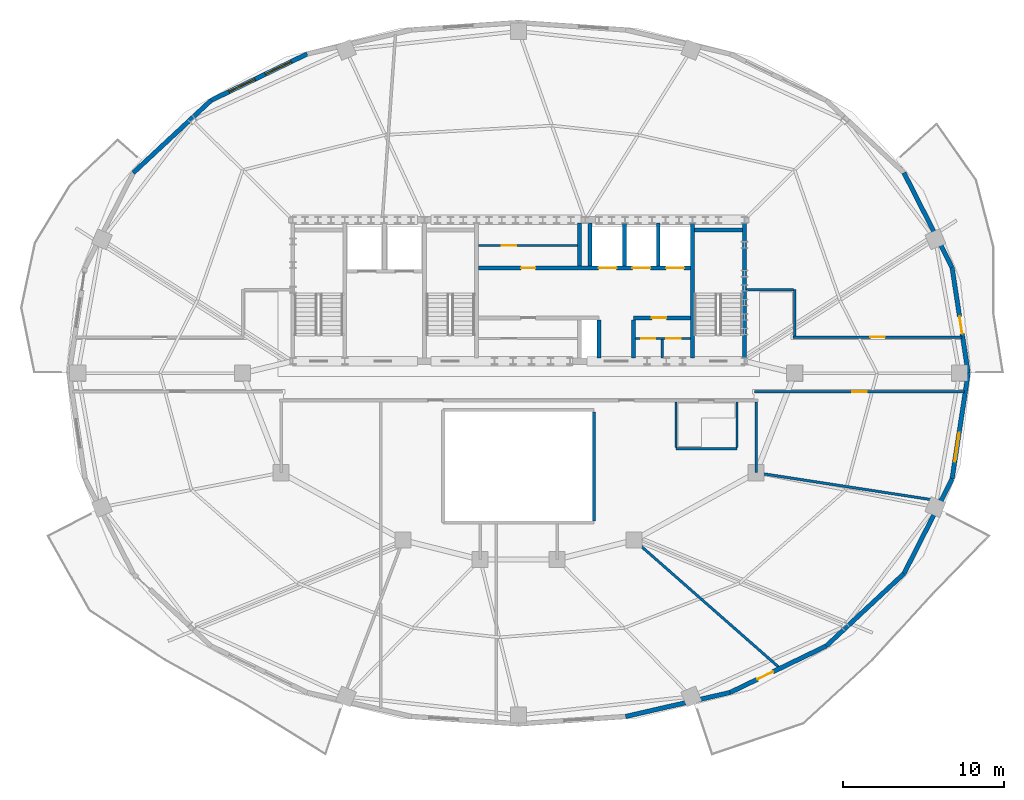
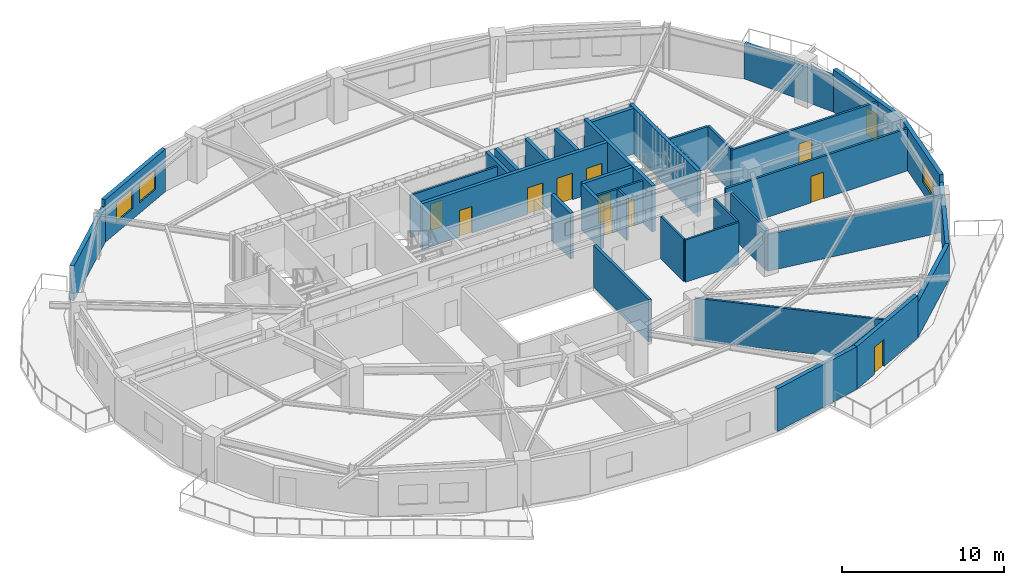
# One storey, part 5 of 11: 34 walls, 12 doors, 3 windows, 15 openings.
"""IFC4 building model written with IfcOpenShell, lengths in metres."""

import ifcopenshell
import ifcopenshell.guid

model = None  # the IFC model being written
_history = None  # IfcOwnerHistory: only IFC2X3 demands one
_inside = {}  # id of a spatial element -> (the spatial element, [elements in it])
_under = {}  # id of a project, library or spatial element -> (it, [spatial elements below it])
_declared = {}  # id of a project -> (the project, [libraries it declares])
_typed = {}  # id of a type object -> (the type object, [elements of that type])
_made_of = {}  # id of a material, layer set ... -> (it, [elements and type objects made of it])


def new_model(schema):
    """Start an empty IFC model of exactly this schema.

    Asked for "IFC4X3", IfcOpenShell would pick the latest addendum, in which some entities
    have other attributes; the version numbers below select the first issue.
    IFC2X3 requires an IfcOwnerHistory on every rooted entity: one is made here for all.
    """
    global model, _history
    if schema == "IFC4X3":
        model = ifcopenshell.file(schema_version=(4, 3, 0, 0))
    else:
        model = ifcopenshell.file(schema=schema)
    _inside.clear()
    _under.clear()
    _declared.clear()
    _typed.clear()
    _made_of.clear()
    _history = None
    if model.schema == "IFC2X3":
        org = make("IfcOrganization", Name="unknown")
        user = make(
            "IfcPersonAndOrganization",
            ThePerson=make("IfcPerson", FamilyName="unknown"),
            TheOrganization=org,
        )
        app = make(
            "IfcApplication",
            ApplicationDeveloper=org,
            Version="unknown",
            ApplicationFullName="unknown",
            ApplicationIdentifier="unknown",
        )
        _history = make(
            "IfcOwnerHistory",
            OwningUser=user,
            OwningApplication=app,
            ChangeAction="ADDED",
            CreationDate=0,
        )
    return model


def make(cls, **values):
    """One entity of the class cls with the attributes given. An attribute that is None is left unset."""
    return model.create_entity(
        cls, **{name: value for name, value in values.items() if value is not None}
    )


def rooted(cls, **values):
    """An entity with a GlobalId (a new one), such as an element, a storey or a relation."""
    return make(cls, GlobalId=ifcopenshell.guid.new(), OwnerHistory=_history, **values)


def si_unit(unit_type, name, prefix=None):
    """IfcSIUnit, for example si_unit("LENGTHUNIT", "METRE", prefix="MILLI")."""
    return make("IfcSIUnit", UnitType=unit_type, Prefix=prefix, Name=name)


def assignment(units):
    """IfcUnitAssignment: the units of a project."""
    return None if units is None else make("IfcUnitAssignment", Units=units)


def point(xyz):
    """IfcCartesianPoint."""
    return None if xyz is None else make("IfcCartesianPoint", Coordinates=xyz)


def direction(xyz):
    """IfcDirection."""
    return None if xyz is None else make("IfcDirection", DirectionRatios=xyz)


def frame(location, z_axis=None, x_axis=None):
    """IfcAxis2Placement3D, a coordinate frame: its origin and axes. An axis left out is left unset."""
    return make(
        "IfcAxis2Placement3D",
        Location=point(location),
        Axis=direction(z_axis),
        RefDirection=direction(x_axis),
    )


def frame_2d(location, x_axis=None):
    """IfcAxis2Placement2D, a coordinate frame in the plane: its origin and x axis."""
    return make(
        "IfcAxis2Placement2D", Location=point(location), RefDirection=direction(x_axis)
    )


def origin():
    """The frame at (0, 0, 0) with its axes left unset."""
    return frame((0.0, 0.0, 0.0))


def place(relative_to, where):
    """IfcLocalPlacement: puts the frame where relative to a parent placement (None: the world)."""
    return make(
        "IfcLocalPlacement", PlacementRelTo=relative_to, RelativePlacement=where
    )


def context(
    kind, dimensions, precision=None, world=None, true_north=None, identifier=None
):
    """IfcGeometricRepresentationContext, for example the 3D "Model" context."""
    return make(
        "IfcGeometricRepresentationContext",
        ContextIdentifier=identifier,
        ContextType=kind,
        CoordinateSpaceDimension=dimensions,
        Precision=precision,
        WorldCoordinateSystem=world,
        TrueNorth=true_north,
    )


def subcontext(parent, identifier, kind, view, scale=None):
    """IfcGeometricRepresentationSubContext, for example "Body" below "Model"."""
    return make(
        "IfcGeometricRepresentationSubContext",
        ContextIdentifier=identifier,
        ContextType=kind,
        ParentContext=parent,
        TargetScale=scale,
        TargetView=view,
    )


def project(units=None, contexts=None):
    """IfcProject with its units and contexts."""
    return rooted(
        "IfcProject",
        Name="project",
        RepresentationContexts=contexts,
        UnitsInContext=assignment(units),
    )


def spatial(cls, under=None, at=None, **own):
    """A site, building, storey or space (cls), placed at a placement, below another one or the project."""
    s = rooted(cls, ObjectPlacement=at, **own)
    if under is not None:
        _under.setdefault(under.id(), (under, []))[1].append(s)
    return s


def profile(cls, at=None, kind="AREA", **sizes):
    """A parametric profile (cls). Its sizes go by their IFC names, for example OverallWidth=200.0."""
    return make(cls, ProfileType=kind, Position=at, **sizes)


def rectangle(**sizes):
    """IfcRectangleProfileDef."""
    return profile("IfcRectangleProfileDef", **sizes)


def extrude(swept, where, along, depth):
    """IfcExtrudedAreaSolid: the profile swept, set in the frame where, extruded along a direction by depth."""
    return make(
        "IfcExtrudedAreaSolid",
        SweptArea=swept,
        Position=where,
        ExtrudedDirection=direction(along),
        Depth=depth,
    )


def shape(context_of_items, identifier, shape_type, items):
    """IfcShapeRepresentation: the items that make up one representation, for example the "Body"."""
    return make(
        "IfcShapeRepresentation",
        ContextOfItems=context_of_items,
        RepresentationIdentifier=identifier,
        RepresentationType=shape_type,
        Items=items,
    )


def material(Name=None, Category=None):
    """IfcMaterial."""
    return make("IfcMaterial", Name=Name, Category=Category)


def layer(
    of_material, thickness, ventilated=None, Name=None, Category=None, Priority=None
):
    """IfcMaterialLayer: one layer of a wall or slab, of a material (None: an air gap)."""
    return make(
        "IfcMaterialLayer",
        Material=of_material,
        LayerThickness=thickness,
        IsVentilated=ventilated,
        Name=Name,
        Category=Category,
        Priority=Priority,
    )


def layer_set(layers, Name=None):
    """IfcMaterialLayerSet."""
    return make("IfcMaterialLayerSet", MaterialLayers=layers, LayerSetName=Name)


def made_of(thing, what):
    """Note that an element or type object is made of a material, layer set ...; save() writes the relation."""
    if what is not None:
        _made_of.setdefault(what.id(), (what, []))[1].append(thing)
    return thing


def type_object(cls, material=None, **own):
    """A type object (cls), such as IfcWallType, which elements share."""
    return made_of(rooted(cls, **own), material)


def element(
    cls,
    number,
    at=None,
    inside=None,
    cuts=None,
    type_object=None,
    material=None,
    context=None,
    identifier="Body",
    shape_type=None,
    held_by="IfcProductDefinitionShape",
    body=None,
    shapes=None,
    **own,
):
    """One element of the class cls, such as IfcWall. Its Tag is "e" and its number.

    at: its placement. inside: the storey or other place that contains it. cuts: it is an
    opening in that element (IfcRelVoidsElement). A single representation is given by context,
    identifier, shape_type and body (its items); several are given by shapes. held_by: the class
    of the entity that holds the representations. save() writes the other relations.
    """
    e = rooted(cls, Tag="e%d" % number, ObjectPlacement=at, **own)
    if body is not None:
        shapes = [shape(context, identifier, shape_type, body)]
    if shapes is not None:
        e.Representation = make(held_by, Representations=shapes)
    if inside is not None:
        _inside.setdefault(inside.id(), (inside, []))[1].append(e)
    if cuts is not None:
        rooted(
            "IfcRelVoidsElement", RelatingBuildingElement=cuts, RelatedOpeningElement=e
        )
    if type_object is not None:
        _typed.setdefault(type_object.id(), (type_object, []))[1].append(e)
    return made_of(e, material)


def fill(opening, filler):
    """IfcRelFillsElement: the door or window that sits in an opening."""
    return rooted(
        "IfcRelFillsElement",
        RelatingOpeningElement=opening,
        RelatedBuildingElement=filler,
    )


def aggregate(whole, parts):
    """IfcRelAggregates: a whole, such as a stair, and the parts it consists of."""
    return rooted("IfcRelAggregates", RelatingObject=whole, RelatedObjects=parts)


def save(model, path):
    """Write the relations noted so far, then the file.

    IfcRelAggregates (storeys below a building ...), IfcRelContainedInSpatialStructure (elements
    in a storey), IfcRelDefinesByType, IfcRelAssociatesMaterial and IfcRelDeclares: one each for
    every whole, place, type object, material and project.
    """
    for whole, parts in _under.values():
        aggregate(whole, parts)
    for where, things in _inside.values():
        rooted(
            "IfcRelContainedInSpatialStructure",
            RelatedElements=things,
            RelatingStructure=where,
        )
    for kind, things in _typed.values():
        rooted("IfcRelDefinesByType", RelatedObjects=things, RelatingType=kind)
    for what, things in _made_of.values():
        rooted("IfcRelAssociatesMaterial", RelatedObjects=things, RelatingMaterial=what)
    for by, libraries in _declared.values():
        rooted("IfcRelDeclares", RelatingContext=by, RelatedDefinitions=libraries)
    model.write(path)


model = new_model("IFC4")

# Units and contexts
model_context = context("Model", 3, precision=1e-05, world=origin(), true_north=direction((0.0, 1.0)))
body_context = subcontext(model_context, "Body", "Model", "MODEL_VIEW")
ifc_project = project(units=[si_unit("LENGTHUNIT", "METRE"), si_unit("AREAUNIT", "SQUARE_METRE"), si_unit("VOLUMEUNIT", "CUBIC_METRE"), si_unit("PLANEANGLEUNIT", "RADIAN"), si_unit("MASSUNIT", "GRAM", prefix="KILO")], contexts=[model_context])

# Site, building, storey
site_placement = place(None, origin())
site = spatial("IfcSite", under=ifc_project, at=site_placement, CompositionType="ELEMENT")
building_placement = place(site_placement, origin())
building = spatial("IfcBuilding", under=site, at=building_placement, Name="Haldorwick Loom Tower", CompositionType="ELEMENT")
storey_placement = place(building_placement, frame((0.0, 0.0, 234.0)))
storey = spatial("IfcBuildingStorey", under=building, at=storey_placement, Name="L63", CompositionType="ELEMENT", Elevation=234.0)

# Wall, opening, door
ifc_material_1 = material(Name="Pressed Clay Face Brick and Insulated Masonry Backup Assembly", Category="masonry")
ifc_layer_1 = layer(ifc_material_1, 0.280029296875, Name="Pressed Clay Face Brick and Insulated Masonry Backup Assembly", Category="masonry")
ifc_layer_set_1 = layer_set([ifc_layer_1], Name="Pressed Clay Face Brick and Insulated Masonry Backup Assembly")
wall_type_1 = type_object("IfcWallType", Name="ARC-WL-EXT280", PredefinedType="STANDARD", material=ifc_layer_set_1)
wall_1_placement = place(storey_placement, frame((64.00634765625, 26.0, 0.0), z_axis=(0.0, 0.0, 1.0), x_axis=(-0.150467697578, 0.988614926038, 0.0)))
wall_1 = element("IfcWall", 1, at=wall_1_placement, inside=storey, type_object=wall_type_1, Name="L63 Brick Pier and Spandrel Wall 1", PredefinedType="STANDARD", context=body_context, shape_type="SweptSolid", body=[
    extrude(rectangle(XDim=6.66064453125, YDim=0.280029296875, at=frame_2d((3.330322265625, 0.0))), origin(), (0.0, 0.0, 1.0), 3.2099609375),
])
opening_1_placement = place(wall_1_placement, frame((2.491455078125, 0.0, 0.0)))
opening_1 = element("IfcOpeningElement", 2, at=opening_1_placement, cuts=wall_1, Name="Opening D-BL11", PredefinedType="OPENING", context=body_context, shape_type="SweptSolid", body=[
    extrude(rectangle(XDim=1.080078125, YDim=2.0400390625, at=frame_2d((0.5400390625, 1.02001953125))), frame((0.0, 0.14990234375, 0.0), z_axis=(0.0, -1.0, 0.0), x_axis=(1.0, 0.0, 0.0)), (0.0, 0.0, 1.0), 0.300048828125),
])
ifc_material_2 = material(Name="Thermally Broken Anodized Aluminium Curtain Wall Framing", Category="aluminium")
door_type_1 = type_object("IfcDoorType", Name="ARC-DR-BAL110", OperationType="NOTDEFINED", PredefinedType="DOOR", material=ifc_material_2)
door_1_placement = place(opening_1_placement, origin())
door_1 = element("IfcDoor", 3, at=door_1_placement, inside=storey, type_object=door_type_1, Name="L63 Outdoor Terrace Door SLB-L63-BAL_ENE", OperationType="SINGLE_SWING_RIGHT", OverallHeight=2.0400390625, OverallWidth=1.080078125, PredefinedType="DOOR", context=body_context, shape_type="SweptSolid", body=[
    extrude(rectangle(XDim=1.080078125, YDim=2.0400390625, at=frame_2d((0.5400390625, 1.02001953125))), frame((0.0, 0.02490234375, 0.0), z_axis=(0.0, -1.0, 0.0), x_axis=(1.0, 0.0, 0.0)), (0.0, 0.0, 1.0), 0.050048828125),
])
fill(opening_1, door_1)

# Wall
wall_2_placement = place(storey_placement, frame((63.004150390625, 32.584716796875, 0.0), z_axis=(0.0, 0.0, 1.0), x_axis=(-0.453032066879, 0.89149422117, 0.0)))
element("IfcWall", 4, at=wall_2_placement, inside=storey, type_object=wall_type_1, Name="L63 Brick Pier and Spandrel Wall 2", PredefinedType="STANDARD", context=body_context, shape_type="SweptSolid", body=[
    extrude(rectangle(XDim=6.618896484375, YDim=0.280029296875, at=frame_2d((3.3095703125, 0.0))), origin(), (0.0, 0.0, 1.0), 2.64111328125),
])

# Wall, openings, windows
wall_3_placement = place(storey_placement, frame((22.82861328125, 45.890869140625, 0.0), z_axis=(0.0, 0.0, 1.0), x_axis=(-0.900371236029, -0.435122554381, 0.0)))
wall_3 = element("IfcWall", 5, at=wall_3_placement, inside=storey, type_object=wall_type_1, Name="L63 Brick Pier and Spandrel Wall 9", PredefinedType="STANDARD", context=body_context, shape_type="SweptSolid", body=[
    extrude(rectangle(XDim=6.6533203125, YDim=0.280029296875, at=frame_2d((3.32666015625, 0.0))), origin(), (0.0, 0.0, 1.0), 3.2099609375),
])
opening_2_placement = place(wall_3_placement, frame((1.095947265625, 0.0, 0.800048828125)))
opening_2 = element("IfcOpeningElement", 6, at=opening_2_placement, cuts=wall_3, Name="Opening W-01", PredefinedType="OPENING", context=body_context, shape_type="SweptSolid", body=[
    extrude(rectangle(XDim=1.800048828125, YDim=1.47998046875, at=frame_2d((0.89990234375, 0.739990234375))), frame((0.0, 0.14990234375, 0.0), z_axis=(0.0, -1.0, 0.0), x_axis=(1.0, 0.0, 0.0)), (0.0, 0.0, 1.0), 0.300048828125),
])
opening_3_placement = place(wall_3_placement, frame((3.618896484375, 0.0, 0.800048828125)))
opening_3 = element("IfcOpeningElement", 7, at=opening_3_placement, cuts=wall_3, Name="Opening W-01", PredefinedType="OPENING", context=body_context, shape_type="SweptSolid", body=[
    extrude(rectangle(XDim=1.800048828125, YDim=1.47998046875, at=frame_2d((0.89990234375, 0.739990234375))), frame((0.0, 0.14990234375, 0.0), z_axis=(0.0, -1.0, 0.0), x_axis=(1.0, 0.0, 0.0)), (0.0, 0.0, 1.0), 0.300048828125),
])
ifc_material_3 = material(Name="Triple-Glazed Low-E Argon Insulated Glazing Unit", Category="glass")
window_type = type_object("IfcWindowType", Name="ARC-WIN-W180", PartitioningType="SINGLE_PANEL", PredefinedType="WINDOW", material=ifc_material_3)
window_1_placement = place(opening_2_placement, origin())
window_1 = element("IfcWindow", 8, at=window_1_placement, inside=storey, type_object=window_type, Name="L63 Deep-Set Zone 7A Window 9", OverallHeight=1.47998046875, OverallWidth=1.800048828125, PartitioningType="SINGLE_PANEL", PredefinedType="WINDOW", context=body_context, shape_type="SweptSolid", body=[
    extrude(rectangle(XDim=1.800048828125, YDim=1.47998046875, at=frame_2d((0.89990234375, 0.739990234375))), frame((0.0, 0.030029296875, 0.0), z_axis=(0.0, -1.0, 0.0), x_axis=(1.0, 0.0, 0.0)), (0.0, 0.0, 1.0), 0.06005859375),
])
fill(opening_2, window_1)
window_2_placement = place(opening_3_placement, origin())
window_2 = element("IfcWindow", 9, at=window_2_placement, inside=storey, type_object=window_type, Name="L63 Deep-Set Zone 7A Window 9", OverallHeight=1.47998046875, OverallWidth=1.800048828125, PartitioningType="SINGLE_PANEL", PredefinedType="WINDOW", context=body_context, shape_type="SweptSolid", body=[
    extrude(rectangle(XDim=1.800048828125, YDim=1.47998046875, at=frame_2d((0.89990234375, 0.739990234375))), frame((0.0, 0.030029296875, 0.0), z_axis=(0.0, -1.0, 0.0), x_axis=(1.0, 0.0, 0.0)), (0.0, 0.0, 1.0), 0.06005859375),
])
fill(opening_3, window_2)

# Walls
wall_4_placement = place(storey_placement, frame((16.838134765625, 42.995849609375, 0.0), z_axis=(0.0, 0.0, 1.0), x_axis=(-0.731833707499, -0.681483253329, 0.0)))
element("IfcWall", 10, at=wall_4_placement, inside=storey, type_object=wall_type_1, Name="L63 Brick Pier and Spandrel Wall 10", PredefinedType="STANDARD", context=body_context, shape_type="SweptSolid", body=[
    extrude(rectangle(XDim=6.61865234375, YDim=0.280029296875, at=frame_2d((3.309326171875, 0.0))), origin(), (0.0, 0.0, 1.0), 2.64111328125),
])
wall_5_placement = place(storey_placement, frame((42.665283203125, 4.61279296875, 0.0), z_axis=(0.0, 0.0, 1.0), x_axis=(0.974557343474, 0.224138315065, 0.0)))
element("IfcWall", 11, at=wall_5_placement, inside=storey, type_object=wall_type_1, Name="L63 Brick Pier and Spandrel Wall 20", PredefinedType="STANDARD", context=body_context, shape_type="SweptSolid", body=[
    extrude(rectangle(XDim=6.676025390625, YDim=0.280029296875, at=frame_2d((3.337890625, 0.0))), origin(), (0.0, 0.0, 1.0), 3.2099609375),
])

# Wall, opening, door
wall_6_placement = place(storey_placement, frame((49.17138671875, 6.109130859375, 0.0), z_axis=(0.0, 0.0, 1.0), x_axis=(0.900371236029, 0.435122554381, 0.0)))
wall_6 = element("IfcWall", 12, at=wall_6_placement, inside=storey, type_object=wall_type_1, Name="L63 Brick Pier and Spandrel Wall 21", PredefinedType="STANDARD", context=body_context, shape_type="SweptSolid", body=[
    extrude(rectangle(XDim=6.6533203125, YDim=0.280029296875, at=frame_2d((3.32666015625, 0.0))), origin(), (0.0, 0.0, 1.0), 3.2099609375),
])
opening_4_placement = place(wall_6_placement, frame((1.8916015625, 0.0, 0.0)))
opening_4 = element("IfcOpeningElement", 13, at=opening_4_placement, cuts=wall_6, Name="Opening D-BL11", PredefinedType="OPENING", context=body_context, shape_type="SweptSolid", body=[
    extrude(rectangle(XDim=1.080078125, YDim=2.0400390625, at=frame_2d((0.5400390625, 1.02001953125))), frame((0.0, 0.14990234375, 0.0), z_axis=(0.0, -1.0, 0.0), x_axis=(1.0, 0.0, 0.0)), (0.0, 0.0, 1.0), 0.300048828125),
])
door_2_placement = place(opening_4_placement, origin())
door_2 = element("IfcDoor", 14, at=door_2_placement, inside=storey, type_object=door_type_1, Name="L63 Outdoor Terrace Door SLB-L63-BAL_SE", OperationType="SINGLE_SWING_RIGHT", OverallHeight=2.0400390625, OverallWidth=1.080078125, PredefinedType="DOOR", context=body_context, shape_type="SweptSolid", body=[
    extrude(rectangle(XDim=1.080078125, YDim=2.0400390625, at=frame_2d((0.5400390625, 1.02001953125))), frame((0.0, 0.02490234375, 0.0), z_axis=(0.0, -1.0, 0.0), x_axis=(1.0, 0.0, 0.0)), (0.0, 0.0, 1.0), 0.050048828125),
])
fill(opening_4, door_2)

# Walls
wall_7_placement = place(storey_placement, frame((55.161865234375, 9.004150390625, 0.0), z_axis=(0.0, 0.0, 1.0), x_axis=(0.731833707499, 0.681483253329, 0.0)))
element("IfcWall", 15, at=wall_7_placement, inside=storey, type_object=wall_type_1, Name="L63 Brick Pier and Spandrel Wall 22", PredefinedType="STANDARD", context=body_context, shape_type="SweptSolid", body=[
    extrude(rectangle(XDim=6.61865234375, YDim=0.280029296875, at=frame_2d((3.309326171875, 0.0))), origin(), (0.0, 0.0, 1.0), 2.64111328125),
])
wall_8_placement = place(storey_placement, frame((60.005615234375, 13.5146484375, 0.0), z_axis=(0.0, 0.0, 1.0), x_axis=(0.453032066879, 0.89149422117, 0.0)))
element("IfcWall", 16, at=wall_8_placement, inside=storey, type_object=wall_type_1, Name="L63 Brick Pier and Spandrel Wall 23", PredefinedType="STANDARD", context=body_context, shape_type="SweptSolid", body=[
    extrude(rectangle(XDim=6.618896484375, YDim=0.280029296875, at=frame_2d((3.3095703125, 0.0))), origin(), (0.0, 0.0, 1.0), 2.64111328125),
])

# Wall, opening, window
wall_9_placement = place(storey_placement, frame((63.004150390625, 19.415283203125, 0.0), z_axis=(0.0, 0.0, 1.0), x_axis=(0.150467697578, 0.988614926038, 0.0)))
wall_9 = element("IfcWall", 17, at=wall_9_placement, inside=storey, type_object=wall_type_1, Name="L63 Brick Pier and Spandrel Wall 24", PredefinedType="STANDARD", context=body_context, shape_type="SweptSolid", body=[
    extrude(rectangle(XDim=6.66064453125, YDim=0.280029296875, at=frame_2d((3.330322265625, 0.0))), origin(), (0.0, 0.0, 1.0), 3.2099609375),
])
opening_5_placement = place(wall_9_placement, frame((1.09814453125, 0.0, 0.800048828125)))
opening_5 = element("IfcOpeningElement", 18, at=opening_5_placement, cuts=wall_9, Name="Opening W-01", PredefinedType="OPENING", context=body_context, shape_type="SweptSolid", body=[
    extrude(rectangle(XDim=1.800048828125, YDim=1.47998046875, at=frame_2d((0.89990234375, 0.739990234375))), frame((0.0, 0.14990234375, 0.0), z_axis=(0.0, -1.0, 0.0), x_axis=(1.0, 0.0, 0.0)), (0.0, 0.0, 1.0), 0.300048828125),
])
window_3_placement = place(opening_5_placement, origin())
window_3 = element("IfcWindow", 19, at=window_3_placement, inside=storey, type_object=window_type, Name="L63 Deep-Set Zone 7A Window 24", OverallHeight=1.47998046875, OverallWidth=1.800048828125, PartitioningType="SINGLE_PANEL", PredefinedType="WINDOW", context=body_context, shape_type="SweptSolid", body=[
    extrude(rectangle(XDim=1.800048828125, YDim=1.47998046875, at=frame_2d((0.89990234375, 0.739990234375))), frame((0.0, 0.030029296875, 0.0), z_axis=(0.0, -1.0, 0.0), x_axis=(1.0, 0.0, 0.0)), (0.0, 0.0, 1.0), 0.06005859375),
])
fill(opening_5, window_3)

# Wall, opening, door
ifc_material_4 = material(Name="Fire-Rated Type X Gypsum Stud Assembly EI 60")
ifc_layer_2 = layer(ifc_material_4, 0.159912109375, Name="Fire-Rated Type X Gypsum Stud Assembly EI 60")
ifc_layer_set_2 = layer_set([ifc_layer_2], Name="Fire-Rated Type X Gypsum Stud Assembly EI 60")
wall_type_2 = type_object("IfcWallType", Name="ARC-WL-FIRE160", PredefinedType="PARTITIONING", material=ifc_layer_set_2)
wall_10_placement = place(storey_placement, frame((50.699951171875, 24.85009765625, 0.0), z_axis=(0.0, 0.0, 1.0), x_axis=(1.0, 0.0, 0.0)))
wall_10 = element("IfcWall", 20, at=wall_10_placement, inside=storey, type_object=wall_type_2, Name="L63 Residential Fire Partition L63-CR-SPE", PredefinedType="PARTITIONING", context=body_context, shape_type="SweptSolid", body=[
    extrude(rectangle(XDim=13.0859375, YDim=0.159912109375, at=frame_2d((6.54296875, 0.0))), origin(), (0.0, 0.0, 1.0), 3.195068359375),
])
opening_6_placement = place(wall_10_placement, frame((6.093017578125, 0.0, 0.0)))
opening_6 = element("IfcOpeningElement", 21, at=opening_6_placement, cuts=wall_10, Name="Opening D-FD60A", PredefinedType="OPENING", context=body_context, shape_type="SweptSolid", body=[
    extrude(rectangle(XDim=0.89990234375, YDim=2.0, at=frame_2d((0.449951171875, 1.0))), frame((0.0, 0.08984375, 0.0), z_axis=(0.0, -1.0, 0.0), x_axis=(1.0, 0.0, 0.0)), (0.0, 0.0, 1.0), 0.179931640625),
])
ifc_material_5 = material(Name="Hollow Steel Fire Door Assembly", Category="steel")
door_type_2 = type_object("IfcDoorType", Name="ARC-DR-FD60-90", OperationType="NOTDEFINED", PredefinedType="DOOR", material=ifc_material_5)
door_3_placement = place(opening_6_placement, origin())
door_3 = element("IfcDoor", 22, at=door_3_placement, inside=storey, type_object=door_type_2, Name="L63 L63 Central Residential Corridor to Resident Study Room 1 Door", OperationType="SINGLE_SWING_RIGHT", OverallHeight=2.0, OverallWidth=0.89990234375, PredefinedType="DOOR", context=body_context, shape_type="SweptSolid", body=[
    extrude(rectangle(XDim=0.89990234375, YDim=2.0, at=frame_2d((0.449951171875, 1.0))), frame((0.0, 0.02490234375, 0.0), z_axis=(0.0, -1.0, 0.0), x_axis=(1.0, 0.0, 0.0)), (0.0, 0.0, 1.0), 0.050048828125),
])
fill(opening_6, door_3)

wall_11_placement = place(storey_placement, frame((53.10009765625, 28.25, 0.0), z_axis=(0.0, 0.0, 1.0), x_axis=(1.0, 0.0, 0.0)))
wall_11 = element("IfcWall", 23, at=wall_11_placement, inside=storey, type_object=wall_type_2, Name="L63 Residential Fire Partition L63-CR-NEL", PredefinedType="PARTITIONING", context=body_context, shape_type="SweptSolid", body=[
    extrude(rectangle(XDim=10.518310546875, YDim=0.159912109375, at=frame_2d((5.25927734375, 0.0))), origin(), (0.0, 0.0, 1.0), 3.195068359375),
])
opening_7_placement = place(wall_11_placement, frame((4.80908203125, 0.0, 0.0)))
opening_7 = element("IfcOpeningElement", 24, at=opening_7_placement, cuts=wall_11, Name="Opening D-FD60A", PredefinedType="OPENING", context=body_context, shape_type="SweptSolid", body=[
    extrude(rectangle(XDim=0.89990234375, YDim=2.0, at=frame_2d((0.449951171875, 1.0))), frame((0.0, 0.08984375, 0.0), z_axis=(0.0, -1.0, 0.0), x_axis=(1.0, 0.0, 0.0)), (0.0, 0.0, 1.0), 0.179931640625),
])
door_4_placement = place(opening_7_placement, frame((0.89990234375, 0.0, 0.0), z_axis=(0.0, 0.0, 1.0), x_axis=(-1.0, 0.0, 0.0)))
door_4 = element("IfcDoor", 25, at=door_4_placement, inside=storey, type_object=door_type_2, Name="L63 Community Library Hall 6 to L63 Central Residential Corridor Door", OperationType="SINGLE_SWING_LEFT", OverallHeight=2.0, OverallWidth=0.89990234375, PredefinedType="DOOR", context=body_context, shape_type="SweptSolid", body=[
    extrude(rectangle(XDim=0.89990234375, YDim=2.0, at=frame_2d((0.449951171875, 1.0))), frame((0.0, 0.02490234375, 0.0), z_axis=(0.0, -1.0, 0.0), x_axis=(1.0, 0.0, 0.0)), (0.0, 0.0, 1.0), 0.050048828125),
])
fill(opening_7, door_4)

# Walls
wall_12_placement = place(storey_placement, frame((53.199951171875, 28.3330078125, 0.0), z_axis=(0.0, 0.0, 1.0), x_axis=(0.0, 1.0, 0.0)))
element("IfcWall", 26, at=wall_12_placement, inside=storey, type_object=wall_type_2, Name="L63 Residential Fire Partition L63-CR-E0", PredefinedType="PARTITIONING", context=body_context, shape_type="SweptSolid", body=[
    extrude(rectangle(XDim=2.866943359375, YDim=0.159912109375, at=frame_2d((1.43359375, 0.0))), origin(), (0.0, 0.0, 1.0), 3.195068359375),
])
wall_13_placement = place(storey_placement, frame((50.193115234375, 31.199951171875, 0.0), z_axis=(0.0, 0.0, 1.0), x_axis=(1.0, 0.0, 0.0)))
element("IfcWall", 27, at=wall_13_placement, inside=storey, type_object=wall_type_2, Name="L63 Residential Fire Partition L63-CR-ENJ", PredefinedType="PARTITIONING", context=body_context, shape_type="SweptSolid", body=[
    extrude(rectangle(XDim=2.923828125, YDim=0.159912109375, at=frame_2d((1.4619140625, 0.0))), origin(), (0.0, 0.0, 1.0), 3.195068359375),
])
wall_14_placement = place(storey_placement, frame((50.800048828125, 19.800048828125, 0.0), z_axis=(0.0, 0.0, 1.0), x_axis=(0.988414763084, -0.151776994694, 0.0)))
element("IfcWall", 28, at=wall_14_placement, inside=storey, type_object=wall_type_2, Name="L63 Residential Fire Partition L63-ICR-02", PredefinedType="PARTITIONING", context=body_context, shape_type="SweptSolid", body=[
    extrude(rectangle(XDim=11.589599609375, YDim=0.159912109375, at=frame_2d((5.794921875, 0.0))), origin(), (0.0, 0.0, 1.0), 2.77197265625),
])
wall_15_placement = place(storey_placement, frame((43.199951171875, 15.60009765625, 0.0), z_axis=(0.0, 0.0, 1.0), x_axis=(0.751199302963, -0.660075455708, 0.0)))
element("IfcWall", 29, at=wall_15_placement, inside=storey, type_object=wall_type_2, Name="L63 Residential Fire Partition L63-ICR-04", PredefinedType="PARTITIONING", context=body_context, shape_type="SweptSolid", body=[
    extrude(rectangle(XDim=12.04833984375, YDim=0.159912109375, at=frame_2d((6.024169921875, 0.0))), origin(), (0.0, 0.0, 1.0), 3.195068359375),
])
wall_16_placement = place(storey_placement, frame((50.800048828125, 24.217041015625, 0.0), z_axis=(0.0, 0.0, 1.0), x_axis=(0.0, -1.0, 0.0)))
element("IfcWall", 30, at=wall_16_placement, inside=storey, type_object=wall_type_2, Name="L63 Residential Fire Partition L63-ICA-01", PredefinedType="PARTITIONING", context=body_context, shape_type="SweptSolid", body=[
    extrude(rectangle(XDim=4.4169921875, YDim=0.159912109375, at=frame_2d((2.20849609375, 0.0))), origin(), (0.0, 0.0, 1.0), 3.195068359375),
])
ifc_material_6 = material(Name="Fire-Rated Type X Gypsum Stud Assembly EI 120")
ifc_layer_3 = layer(ifc_material_6, 0.199951171875, Name="Fire-Rated Type X Gypsum Stud Assembly EI 120")
ifc_layer_set_3 = layer_set([ifc_layer_3], Name="Fire-Rated Type X Gypsum Stud Assembly EI 120")
wall_type_3 = type_object("IfcWallType", Name="ARC-WL-FIRE200", PredefinedType="PARTITIONING", material=ifc_layer_set_3)
wall_17_placement = place(storey_placement, frame((40.699951171875, 23.596923828125, 0.0), z_axis=(0.0, 0.0, 1.0), x_axis=(0.0, -1.0, 0.0)))
element("IfcWall", 31, at=wall_17_placement, inside=storey, type_object=wall_type_3, Name="L63 Atrium Fire Enclosure Wall E", PredefinedType="PARTITIONING", context=body_context, shape_type="SweptSolid", body=[
    extrude(rectangle(XDim=6.7939453125, YDim=0.199951171875, at=frame_2d((3.39697265625, 0.0))), origin(), (0.0, 0.0, 1.0), 3.195068359375),
])

# Wall, opening, door
ifc_layer_4 = layer(ifc_material_4, 0.139892578125, Name="Fire-Rated Type X Gypsum Stud Assembly EI 60")
ifc_layer_set_4 = layer_set([ifc_layer_4], Name="Fire-Rated Type X Gypsum Stud Assembly EI 60")
wall_type_4 = type_object("IfcWallType", Name="ARC-WL-PART140", PredefinedType="PARTITIONING", material=ifc_layer_set_4)
wall_18_placement = place(storey_placement, frame((33.492919921875, 33.9599609375, 0.0), z_axis=(0.0, 0.0, 1.0), x_axis=(1.0, 0.0, 0.0)))
wall_18 = element("IfcWall", 32, at=wall_18_placement, inside=storey, type_object=wall_type_4, Name="L63 Alcove Partition", PredefinedType="PARTITIONING", context=body_context, shape_type="SweptSolid", body=[
    extrude(rectangle(XDim=6.18408203125, YDim=0.139892578125, at=frame_2d((3.092041015625, 0.0))), origin(), (0.0, 0.0, 1.0), 3.195068359375),
])
opening_8_placement = place(wall_18_placement, frame((1.45703125, 0.0, 0.0)))
opening_8 = element("IfcOpeningElement", 33, at=opening_8_placement, cuts=wall_18, Name="Opening D-FD60A", PredefinedType="OPENING", context=body_context, shape_type="SweptSolid", body=[
    extrude(rectangle(XDim=0.89990234375, YDim=2.0, at=frame_2d((0.449951171875, 1.0))), frame((0.0, 0.079833984375, 0.0), z_axis=(0.0, -1.0, 0.0), x_axis=(1.0, 0.0, 0.0)), (0.0, 0.0, 1.0), 0.159912109375),
])
door_5_placement = place(opening_8_placement, frame((0.89990234375, 0.0, 0.0), z_axis=(0.0, 0.0, 1.0), x_axis=(-1.0, 0.0, 0.0)))
door_5 = element("IfcDoor", 34, at=door_5_placement, inside=storey, type_object=door_type_2, Name="L63 Trunk Store Door", OperationType="SINGLE_SWING_LEFT", OverallHeight=2.0, OverallWidth=0.89990234375, PredefinedType="DOOR", context=body_context, shape_type="SweptSolid", body=[
    extrude(rectangle(XDim=0.89990234375, YDim=2.0, at=frame_2d((0.449951171875, 1.0))), frame((0.0, 0.02490234375, 0.0), z_axis=(0.0, -1.0, 0.0), x_axis=(1.0, 0.0, 0.0)), (0.0, 0.0, 1.0), 0.050048828125),
])
fill(opening_8, door_5)

# Wall, openings, doors
wall_19_placement = place(storey_placement, frame((43.27294921875, 28.159912109375, 0.0), z_axis=(0.0, 0.0, 1.0), x_axis=(1.0, 0.0, 0.0)))
wall_19 = element("IfcWall", 35, at=wall_19_placement, inside=storey, type_object=wall_type_4, Name="L63 Telecom Partition", PredefinedType="PARTITIONING", context=body_context, shape_type="SweptSolid", body=[
    extrude(rectangle(XDim=3.43408203125, YDim=0.139892578125, at=frame_2d((1.717041015625, 0.0))), origin(), (0.0, 0.0, 1.0), 3.195068359375),
])
opening_9_placement = place(wall_19_placement, frame((0.366943359375, 0.0, 0.0)))
opening_9 = element("IfcOpeningElement", 36, at=opening_9_placement, cuts=wall_19, Name="Opening D-BT88", PredefinedType="OPENING", context=body_context, shape_type="SweptSolid", body=[
    extrude(rectangle(XDim=0.8798828125, YDim=2.02001953125, at=frame_2d((0.43994140625, 1.010009765625))), frame((0.0, 0.079833984375, 0.0), z_axis=(0.0, -1.0, 0.0), x_axis=(1.0, 0.0, 0.0)), (0.0, 0.0, 1.0), 0.159912109375),
])
opening_10_placement = place(wall_19_placement, frame((1.93701171875, 0.0, 0.0)))
opening_10 = element("IfcOpeningElement", 37, at=opening_10_placement, cuts=wall_19, Name="Opening D-BT88", PredefinedType="OPENING", context=body_context, shape_type="SweptSolid", body=[
    extrude(rectangle(XDim=0.8798828125, YDim=2.02001953125, at=frame_2d((0.43994140625, 1.010009765625))), frame((0.0, 0.079833984375, 0.0), z_axis=(0.0, -1.0, 0.0), x_axis=(1.0, 0.0, 0.0)), (0.0, 0.0, 1.0), 0.159912109375),
])
ifc_material_7 = material(Name="Solid Core Birch Architectural Door")
door_type_3 = type_object("IfcDoorType", Name="ARC-DR-BATH88", OperationType="NOTDEFINED", PredefinedType="DOOR", material=ifc_material_7)
door_6_placement = place(opening_9_placement, origin())
door_6 = element("IfcDoor", 38, at=door_6_placement, inside=storey, type_object=door_type_3, Name="L63 Telecom Room Door", OperationType="SINGLE_SWING_LEFT", OverallHeight=2.02001953125, OverallWidth=0.8798828125, PredefinedType="DOOR", context=body_context, shape_type="SweptSolid", body=[
    extrude(rectangle(XDim=0.8798828125, YDim=2.02001953125, at=frame_2d((0.43994140625, 1.010009765625))), frame((0.0, 0.02490234375, 0.0), z_axis=(0.0, -1.0, 0.0), x_axis=(1.0, 0.0, 0.0)), (0.0, 0.0, 1.0), 0.050048828125),
])
fill(opening_9, door_6)
door_7_placement = place(opening_10_placement, origin())
door_7 = element("IfcDoor", 39, at=door_7_placement, inside=storey, type_object=door_type_3, Name="L63 Metering Closet Door", OperationType="SINGLE_SWING_RIGHT", OverallHeight=2.02001953125, OverallWidth=0.8798828125, PredefinedType="DOOR", context=body_context, shape_type="SweptSolid", body=[
    extrude(rectangle(XDim=0.8798828125, YDim=2.02001953125, at=frame_2d((0.43994140625, 1.010009765625))), frame((0.0, 0.02490234375, 0.0), z_axis=(0.0, -1.0, 0.0), x_axis=(1.0, 0.0, 0.0)), (0.0, 0.0, 1.0), 0.050048828125),
])
fill(opening_10, door_7)

# Walls
wall_20_placement = place(storey_placement, frame((44.949951171875, 26.952880859375, 0.0), z_axis=(0.0, 0.0, 1.0), x_axis=(0.0, 1.0, 0.0)))
element("IfcWall", 40, at=wall_20_placement, inside=storey, type_object=wall_type_4, Name="L63 Metering Sub-Partition", PredefinedType="PARTITIONING", context=body_context, shape_type="SweptSolid", body=[
    extrude(rectangle(XDim=1.134033203125, YDim=0.139892578125, at=frame_2d((0.56689453125, 0.0))), origin(), (0.0, 0.0, 1.0), 3.195068359375),
])
wall_21_placement = place(storey_placement, frame((45.800048828125, 21.300048828125, 0.0), z_axis=(0.0, 0.0, 1.0), x_axis=(1.0, 0.0, 0.0)))
element("IfcWall", 41, at=wall_21_placement, inside=storey, type_object=wall_type_4, Name="L63 Residential Fire Partition L63-CWC-S", PredefinedType="PARTITIONING", context=body_context, shape_type="SweptSolid", body=[
    extrude(rectangle(XDim=3.800048828125, YDim=0.139892578125, at=frame_2d((1.89990234375, 0.0))), origin(), (0.0, 0.0, 1.0), 3.195068359375),
])
for number, where, z_axis, x_axis, name in (
    (42, (45.800048828125, 21.373046875, 0.0), (0.0, 0.0, 1.0), (0.0, 1.0, 0.0), "L63 Residential Fire Partition L63-CWC-W"),
    (43, (49.60009765625, 21.373046875, 0.0), (0.0, 0.0, 1.0), (0.0, 1.0, 0.0), "L63 Residential Fire Partition L63-CWC-E"),
):
    element("IfcWall", number, at=place(storey_placement, frame(where, z_axis=z_axis, x_axis=x_axis)), inside=storey, type_object=wall_type_4, Name=name, PredefinedType="PARTITIONING", context=body_context, shape_type="SweptSolid", body=[
        extrude(rectangle(XDim=2.843994140625, YDim=0.139892578125, at=frame_2d((1.421875, 0.0))), origin(), (0.0, 0.0, 1.0), 3.195068359375),
    ])
ifc_material_8 = material(Name="Concrete C50 (50 MPa)", Category="concrete")
ifc_layer_5 = layer(ifc_material_8, 0.239990234375, Name="Concrete C50 (50 MPa)", Category="concrete")
ifc_layer_set_5 = layer_set([ifc_layer_5], Name="Concrete C50 (50 MPa)")
wall_type_5 = type_object("IfcWallType", Name="STR-WL-SHAFT240", PredefinedType="SHEAR", material=ifc_layer_set_5)
for number, where, z_axis, x_axis, name in (
    (44, (50.070068359375, 26.952880859375, 0.0), (0.0, 0.0, 1.0), (0.0, 1.0, 0.0), "L63 Core Shear Wall E"),
    (45, (46.830078125, 26.952880859375, 0.0), (0.0, 0.0, 1.0), (0.0, 1.0, 0.0), "L63 Core Shear Wall 4"),
):
    element("IfcWall", number, at=place(storey_placement, frame(where, z_axis=z_axis, x_axis=x_axis)), inside=storey, type_object=wall_type_5, Name=name, PredefinedType="SHEAR", context=body_context, shape_type="SweptSolid", body=[
        extrude(rectangle(XDim=8.39404296875, YDim=0.239990234375, at=frame_2d((4.197021484375, 0.0))), origin(), (0.0, 0.0, 1.0), 3.449951171875),
    ])
wall_22_placement = place(storey_placement, frame((46.952880859375, 34.919921875, 0.0), z_axis=(0.0, 0.0, 1.0), x_axis=(1.0, 0.0, 0.0)))
element("IfcWall", 46, at=wall_22_placement, inside=storey, type_object=wall_type_5, Name="L63 Core Shear Wall 4N", PredefinedType="SHEAR", context=body_context, shape_type="SweptSolid", body=[
    extrude(rectangle(XDim=2.994140625, YDim=0.239990234375, at=frame_2d((1.4970703125, 0.0))), origin(), (0.0, 0.0, 1.0), 3.449951171875),
])

# Wall, openings, doors
wall_23_placement = place(storey_placement, frame((33.492919921875, 32.550048828125, 0.0), z_axis=(0.0, 0.0, 1.0), x_axis=(1.0, 0.0, 0.0)))
wall_23 = element("IfcWall", 47, at=wall_23_placement, inside=storey, type_object=wall_type_5, Name="L63 Core Shear Wall LN", PredefinedType="SHEAR", context=body_context, shape_type="SweptSolid", body=[
    extrude(rectangle(XDim=13.214111328125, YDim=0.239990234375, at=frame_2d((6.60693359375, 0.0))), origin(), (0.0, 0.0, 1.0), 3.449951171875),
])
opening_11_placement = place(wall_23_placement, frame((2.656982421875, 0.0, 0.0)))
opening_11 = element("IfcOpeningElement", 48, at=opening_11_placement, cuts=wall_23, Name="Opening D-FD60A", PredefinedType="OPENING", context=body_context, shape_type="SweptSolid", body=[
    extrude(rectangle(XDim=0.89990234375, YDim=2.0, at=frame_2d((0.449951171875, 1.0))), frame((0.0, 0.1298828125, 0.0), z_axis=(0.0, -1.0, 0.0), x_axis=(1.0, 0.0, 0.0)), (0.0, 0.0, 1.0), 0.260009765625),
])
opening_12_placement = place(wall_23_placement, frame((7.4970703125, 0.0, 0.0)))
opening_12 = element("IfcOpeningElement", 49, at=opening_12_placement, cuts=wall_23, Name="Opening LD-H1", PredefinedType="OPENING", context=body_context, shape_type="SweptSolid", body=[
    extrude(rectangle(XDim=1.1201171875, YDim=2.0, at=frame_2d((0.56005859375, 1.0))), frame((0.0, 0.1298828125, 0.0), z_axis=(0.0, -1.0, 0.0), x_axis=(1.0, 0.0, 0.0)), (0.0, 0.0, 1.0), 0.260009765625),
])
opening_13_placement = place(wall_23_placement, frame((9.596923828125, 0.0, 0.0)))
opening_13 = element("IfcOpeningElement", 50, at=opening_13_placement, cuts=wall_23, Name="Opening LD-H2", PredefinedType="OPENING", context=body_context, shape_type="SweptSolid", body=[
    extrude(rectangle(XDim=1.1201171875, YDim=2.0, at=frame_2d((0.56005859375, 1.0))), frame((0.0, 0.1298828125, 0.0), z_axis=(0.0, -1.0, 0.0), x_axis=(1.0, 0.0, 0.0)), (0.0, 0.0, 1.0), 0.260009765625),
])
opening_14_placement = place(wall_23_placement, frame((11.697021484375, 0.0, 0.0)))
opening_14 = element("IfcOpeningElement", 51, at=opening_14_placement, cuts=wall_23, Name="Opening LD-H3", PredefinedType="OPENING", context=body_context, shape_type="SweptSolid", body=[
    extrude(rectangle(XDim=1.1201171875, YDim=2.0, at=frame_2d((0.56005859375, 1.0))), frame((0.0, 0.1298828125, 0.0), z_axis=(0.0, -1.0, 0.0), x_axis=(1.0, 0.0, 0.0)), (0.0, 0.0, 1.0), 0.260009765625),
])
door_8_placement = place(opening_11_placement, frame((0.89990234375, 0.0, 0.0), z_axis=(0.0, 0.0, 1.0), x_axis=(-1.0, 0.0, 0.0)))
door_8 = element("IfcDoor", 52, at=door_8_placement, inside=storey, type_object=door_type_2, Name="L63 Floor Equipment Door", OperationType="SINGLE_SWING_RIGHT", OverallHeight=2.0, OverallWidth=0.89990234375, PredefinedType="DOOR", context=body_context, shape_type="SweptSolid", body=[
    extrude(rectangle(XDim=0.89990234375, YDim=2.0, at=frame_2d((0.449951171875, 1.0))), frame((0.0, 0.02490234375, 0.0), z_axis=(0.0, -1.0, 0.0), x_axis=(1.0, 0.0, 0.0)), (0.0, 0.0, 1.0), 0.050048828125),
])
fill(opening_11, door_8)
door_type_4 = type_object("IfcDoorType", Name="ARC-DR-LD-PAX", OperationType="NOTDEFINED", PredefinedType="USERDEFINED", material=ifc_material_5)
door_9_placement = place(opening_12_placement, origin())
door_9 = element("IfcDoor", 53, at=door_9_placement, inside=storey, type_object=door_type_4, Name="L63 Lift LF-H1 Sliding Landing Door", ObjectType="LANDING DOOR", OperationType="DOUBLE_DOOR_SLIDING", OverallHeight=2.0, OverallWidth=1.1201171875, PredefinedType="USERDEFINED", context=body_context, shape_type="SweptSolid", body=[
    extrude(rectangle(XDim=1.1201171875, YDim=2.0, at=frame_2d((0.56005859375, 1.0))), frame((0.0, 0.02490234375, 0.0), z_axis=(0.0, -1.0, 0.0), x_axis=(1.0, 0.0, 0.0)), (0.0, 0.0, 1.0), 0.050048828125),
])
fill(opening_12, door_9)
door_10_placement = place(opening_13_placement, origin())
door_10 = element("IfcDoor", 54, at=door_10_placement, inside=storey, type_object=door_type_4, Name="L63 Lift LF-H2 Sliding Landing Door", ObjectType="LANDING DOOR", OperationType="DOUBLE_DOOR_SLIDING", OverallHeight=2.0, OverallWidth=1.1201171875, PredefinedType="USERDEFINED", context=body_context, shape_type="SweptSolid", body=[
    extrude(rectangle(XDim=1.1201171875, YDim=2.0, at=frame_2d((0.56005859375, 1.0))), frame((0.0, 0.02490234375, 0.0), z_axis=(0.0, -1.0, 0.0), x_axis=(1.0, 0.0, 0.0)), (0.0, 0.0, 1.0), 0.050048828125),
])
fill(opening_13, door_10)
door_11_placement = place(opening_14_placement, origin())
door_11 = element("IfcDoor", 55, at=door_11_placement, inside=storey, type_object=door_type_4, Name="L63 Lift LF-H3 Sliding Landing Door", ObjectType="LANDING DOOR", OperationType="DOUBLE_DOOR_SLIDING", OverallHeight=2.0, OverallWidth=1.1201171875, PredefinedType="USERDEFINED", context=body_context, shape_type="SweptSolid", body=[
    extrude(rectangle(XDim=1.1201171875, YDim=2.0, at=frame_2d((0.56005859375, 1.0))), frame((0.0, 0.02490234375, 0.0), z_axis=(0.0, -1.0, 0.0), x_axis=(1.0, 0.0, 0.0)), (0.0, 0.0, 1.0), 0.050048828125),
])
fill(opening_14, door_11)

# Wall, opening, door
wall_24_placement = place(storey_placement, frame((43.14990234375, 29.449951171875, 0.0), z_axis=(0.0, 0.0, 1.0), x_axis=(1.0, 0.0, 0.0)))
wall_24 = element("IfcWall", 56, at=wall_24_placement, inside=storey, type_object=wall_type_5, Name="L63 Core Shear Wall LS2", PredefinedType="SHEAR", context=body_context, shape_type="SweptSolid", body=[
    extrude(rectangle(XDim=3.55712890625, YDim=0.239990234375, at=frame_2d((1.778564453125, 0.0))), origin(), (0.0, 0.0, 1.0), 3.449951171875),
])
opening_15_placement = place(wall_24_placement, frame((1.14990234375, 0.0, 0.0)))
opening_15 = element("IfcOpeningElement", 57, at=opening_15_placement, cuts=wall_24, Name="Opening D-FD60A", PredefinedType="OPENING", context=body_context, shape_type="SweptSolid", body=[
    extrude(rectangle(XDim=0.89990234375, YDim=2.0, at=frame_2d((0.449951171875, 1.0))), frame((0.0, 0.1298828125, 0.0), z_axis=(0.0, -1.0, 0.0), x_axis=(1.0, 0.0, 0.0)), (0.0, 0.0, 1.0), 0.260009765625),
])
door_12_placement = place(opening_15_placement, origin())
door_12 = element("IfcDoor", 58, at=door_12_placement, inside=storey, type_object=door_type_2, Name="L63 Janitor Closet Door", OperationType="SINGLE_SWING_LEFT", OverallHeight=2.0, OverallWidth=0.89990234375, PredefinedType="DOOR", context=body_context, shape_type="SweptSolid", body=[
    extrude(rectangle(XDim=0.89990234375, YDim=2.0, at=frame_2d((0.449951171875, 1.0))), frame((0.0, 0.02490234375, 0.0), z_axis=(0.0, -1.0, 0.0), x_axis=(1.0, 0.0, 0.0)), (0.0, 0.0, 1.0), 0.050048828125),
])
fill(opening_15, door_12)

# Walls
for number, where, z_axis, x_axis, name in (
    (59, (41.0, 26.952880859375, 0.0), (0.0, 0.0, 1.0), (0.0, 1.0, 0.0), "L63 Core Shear Wall THW"),
    (60, (43.14990234375, 26.952880859375, 0.0), (0.0, 0.0, 1.0), (0.0, 1.0, 0.0), "L63 Core Shear Wall THE"),
):
    element("IfcWall", number, at=place(storey_placement, frame(where, z_axis=z_axis, x_axis=x_axis)), inside=storey, type_object=wall_type_5, Name=name, PredefinedType="SHEAR", context=body_context, shape_type="SweptSolid", body=[
        extrude(rectangle(XDim=2.3740234375, YDim=0.239990234375, at=frame_2d((1.18701171875, 0.0))), origin(), (0.0, 0.0, 1.0), 3.449951171875),
    ])
for number, where, z_axis, x_axis, name in (
    (61, (39.800048828125, 32.673095703125, 0.0), (0.0, 0.0, 1.0), (0.0, 1.0, 0.0), "L63 Core Shear Wall LHW"),
    (62, (40.449951171875, 32.673095703125, 0.0), (0.0, 0.0, 1.0), (0.0, 1.0, 0.0), "L63 Core Shear Wall H0"),
    (63, (42.60009765625, 32.673095703125, 0.0), (0.0, 0.0, 1.0), (0.0, 1.0, 0.0), "L63 Core Shear Wall H1"),
    (64, (44.699951171875, 32.673095703125, 0.0), (0.0, 0.0, 1.0), (0.0, 1.0, 0.0), "L63 Core Shear Wall H2"),
):
    element("IfcWall", number, at=place(storey_placement, frame(where, z_axis=z_axis, x_axis=x_axis)), inside=storey, type_object=wall_type_5, Name=name, PredefinedType="SHEAR", context=body_context, shape_type="SweptSolid", body=[
        extrude(rectangle(XDim=2.673828125, YDim=0.239990234375, at=frame_2d((1.3369140625, 0.0))), origin(), (0.0, 0.0, 1.0), 3.449951171875),
    ])

save(model, "model.ifc")
